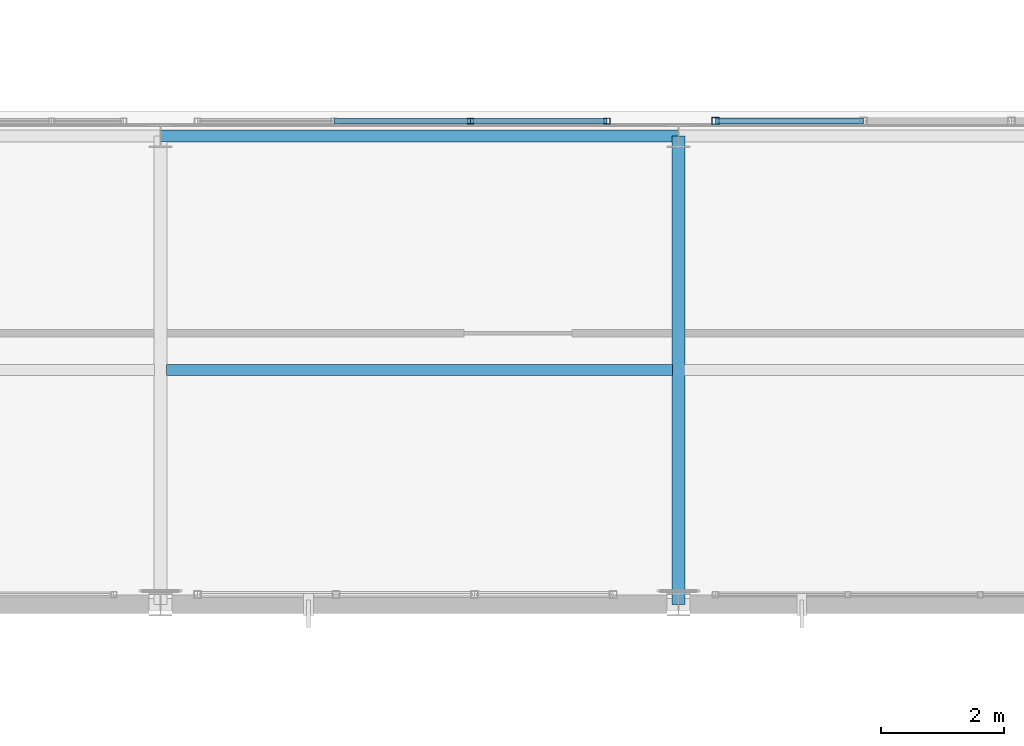
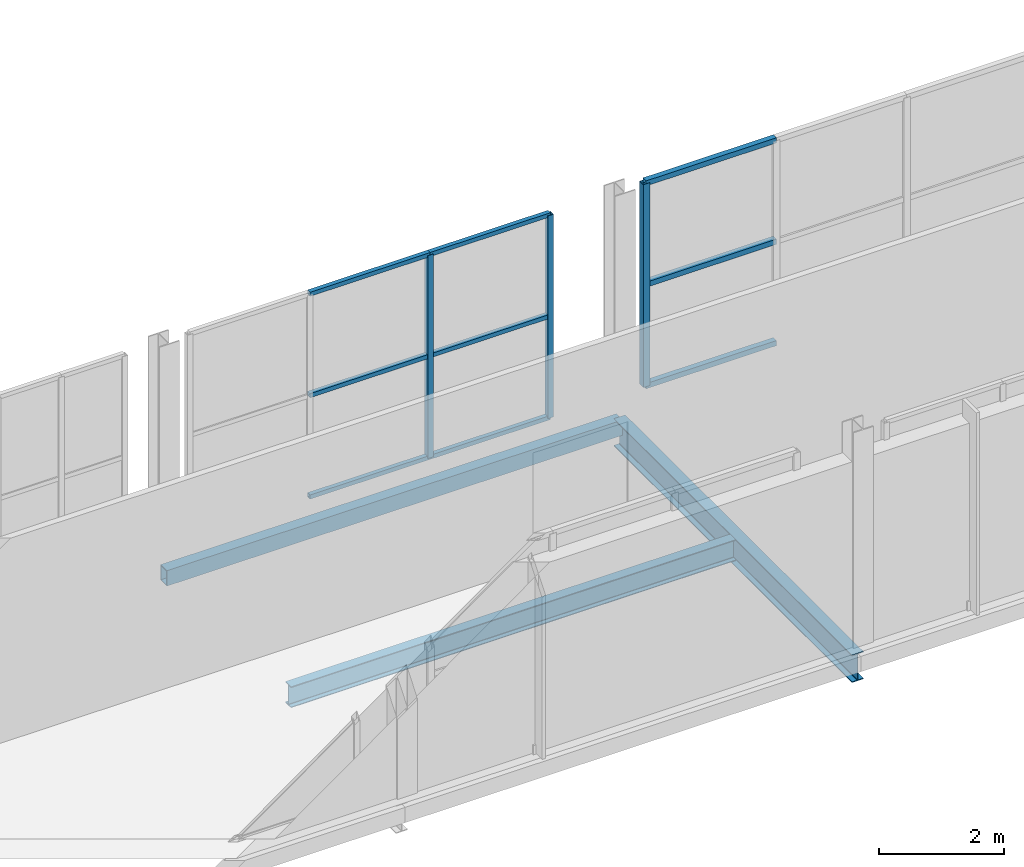
# One storey, part 48 of 217: 12 members, 3 beams, 2 elements without a shape of their own.
"""IFC4 building model written with IfcOpenShell, lengths in metres."""

from ifc_helpers import new_model, si_unit, direction, frame, origin, origin_2d, place, context, subcontext, project, spatial, hollow_rectangle, i_section, extrude, material, material_profile, profile_set, type_object, element, aggregate, save


model = new_model("IFC4")

# Units and contexts
model_context = context("Model", 3, precision=1e-05, world=origin(), true_north=direction((0.0, 1.0)))
body_context = subcontext(model_context, "Body", "Model", "MODEL_VIEW")
ifc_project = project(units=[si_unit("LENGTHUNIT", "METRE"), si_unit("AREAUNIT", "SQUARE_METRE"), si_unit("VOLUMEUNIT", "CUBIC_METRE"), si_unit("PLANEANGLEUNIT", "RADIAN"), si_unit("MASSUNIT", "GRAM", prefix="KILO")], contexts=[model_context])

# Site, building, storey
site_placement = place(None, origin())
site = spatial("IfcSite", under=ifc_project, at=site_placement, CompositionType="ELEMENT")
building_placement = place(site_placement, origin())
building = spatial("IfcBuilding", under=site, at=building_placement, Name="Zuvorla Pavilion Media Centre", CompositionType="ELEMENT")
storey_placement = place(building_placement, frame((0.0, 0.0, 9.60009765625)))
storey = spatial("IfcBuildingStorey", under=building, at=storey_placement, Name="L02", CompositionType="ELEMENT", Elevation=9.60009765625)

# Beams
ifc_material_1 = material(Name="Steel S355", Category="steel")
ifc_material_profile_1 = material_profile(ifc_material_1, hollow_rectangle(XDim=0.199951171875, YDim=0.300048828125, WallThickness=0.012451171875, at=origin_2d()), Name="RHS 300x200x12.5")
ifc_profile_set_1 = profile_set([ifc_material_profile_1], Name="Steel S355")
beam_type_1 = type_object("IfcBeamType", Name="BM-SP-RHS300", PredefinedType="SPANDREL", material=ifc_profile_set_1)
beam_1_placement = place(storey_placement, frame((125.60009765625, 51.60009765625, -0.418212890625), z_axis=(1.0, 0.0, 0.0), x_axis=(0.0, 1.0, 0.0)))
element("IfcBeam", 1, at=beam_1_placement, inside=storey, type_object=beam_type_1, Name="L02 spandrel SP01 848", PredefinedType="SPANDREL", context=body_context, shape_type="SweptSolid", body=[
    extrude(hollow_rectangle(XDim=0.199951171875, YDim=0.300048828125, WallThickness=0.012451171875, at=origin_2d()), origin(), (0.0, 0.0, 1.0), 8.39990234375),
])
ifc_material_profile_2 = material_profile(ifc_material_1, i_section(OverallWidth=0.1787109375, OverallDepth=0.409423828125, WebThickness=0.0087890625, FlangeThickness=0.014404296875, FilletRadius=0.01025390625, at=origin_2d()), Name="UB 406x178x67")
ifc_profile_set_2 = profile_set([ifc_material_profile_2], Name="Steel S355")
beam_type_2 = type_object("IfcBeamType", Name="BM-UB406", PredefinedType="JOIST", material=ifc_profile_set_2)
beam_2_placement = place(storey_placement, frame((125.699951171875, 47.800048828125, -0.472900390625), z_axis=(1.0, 0.0, 0.0), x_axis=(0.0, 1.0, 0.0)))
element("IfcBeam", 2, at=beam_2_placement, inside=storey, type_object=beam_type_2, Name="L02 joist J02 1034", PredefinedType="JOIST", context=body_context, shape_type="SweptSolid", body=[
    extrude(i_section(OverallWidth=0.1787109375, OverallDepth=0.409423828125, WebThickness=0.0087890625, FlangeThickness=0.014404296875, FilletRadius=0.01025390625, at=origin_2d()), origin(), (0.0, 0.0, 1.0), 8.199951171875),
])
ifc_material_profile_3 = material_profile(ifc_material_1, i_section(OverallWidth=0.2099609375, OverallDepth=0.53662109375, WebThickness=0.0107421875, FlangeThickness=0.017333984375, FilletRadius=0.0126953125, at=origin_2d()), Name="UB 533x210x101")
ifc_profile_set_3 = profile_set([ifc_material_profile_3], Name="Steel S355")
beam_type_3 = type_object("IfcBeamType", Name="BM-UB533", PredefinedType="BEAM", material=ifc_profile_set_3)
beam_3_placement = place(storey_placement, frame((134.0, 44.0, -0.536376953125), z_axis=(0.0, 1.0, 0.0), x_axis=(-1.0, 0.0, 0.0)))
element("IfcBeam", 3, at=beam_3_placement, inside=storey, type_object=beam_type_3, Name="L02 beam B08 965", PredefinedType="BEAM", context=body_context, shape_type="SweptSolid", body=[
    extrude(i_section(OverallWidth=0.2099609375, OverallDepth=0.53662109375, WebThickness=0.0107421875, FlangeThickness=0.017333984375, FilletRadius=0.0126953125, at=origin_2d()), origin(), (0.0, 0.0, 1.0), 7.60009765625),
])

# Curtain wall, members
ifc_material_2 = material(Name="Unitised anodised aluminium and solar glass curtain wall", Category="aluminium")
curtain_wall_type_1 = type_object("IfcCurtainWallType", Name="CW-SYS-54", PredefinedType="USERDEFINED", material=ifc_material_2)
curtain_wall_1_placement = place(storey_placement, origin())
curtain_wall_1 = element("IfcCurtainWall", 4, at=curtain_wall_1_placement, inside=storey, type_object=curtain_wall_type_1, Name="L02 curtain wall CW54 80", ObjectType="CURTAIN WALL", PredefinedType="USERDEFINED")
ifc_material_3 = material(Name="Anodised aluminium 6063-T6", Category="aluminium")
ifc_material_profile_4 = material_profile(ifc_material_3, hollow_rectangle(XDim=0.10009765625, YDim=0.10009765625, WallThickness=0.00439453125, at=origin_2d()), Name="ALU MULL 100x100")
ifc_profile_set_4 = profile_set([ifc_material_profile_4], Name="Anodised aluminium 6063-T6")
member_type_1 = type_object("IfcMemberType", Name="CW-MULL-100", PredefinedType="MULLION", material=ifc_profile_set_4)
member_1_placement = place(storey_placement, frame((130.626708984375, 51.840087890625, 0.0), z_axis=(0.0, 0.0, 1.0), x_axis=(1.0, 0.0, 0.0)))
member_1 = element("IfcMember", 5, at=member_1_placement, type_object=member_type_1, Name="CW54 mullion 3", PredefinedType="MULLION", context=body_context, shape_type="SweptSolid", body=[
    extrude(hollow_rectangle(XDim=0.10009765625, YDim=0.10009765625, WallThickness=0.00439453125, at=origin_2d()), origin(), (0.0, 0.0, 1.0), 3.949951171875),
])
member_2_placement = place(storey_placement, frame((132.840087890625, 51.840087890625, 0.0), z_axis=(0.0, 0.0, 1.0), x_axis=(1.0, 0.0, 0.0)))
member_2 = element("IfcMember", 6, at=member_2_placement, type_object=member_type_1, Name="CW54 mullion 4", PredefinedType="MULLION", context=body_context, shape_type="SweptSolid", body=[
    extrude(hollow_rectangle(XDim=0.10009765625, YDim=0.10009765625, WallThickness=0.00439453125, at=origin_2d()), origin(), (0.0, 0.0, 1.0), 3.949951171875),
])

curtain_wall_type_2 = type_object("IfcCurtainWallType", Name="CW-SYS-55", PredefinedType="USERDEFINED", material=ifc_material_2)
curtain_wall_2_placement = place(storey_placement, origin())
curtain_wall_2 = element("IfcCurtainWall", 7, at=curtain_wall_2_placement, inside=storey, type_object=curtain_wall_type_2, Name="L02 curtain wall CW55 82", ObjectType="CURTAIN WALL", PredefinedType="USERDEFINED")
ifc_material_profile_5 = material_profile(ifc_material_3, hollow_rectangle(XDim=0.1201171875, YDim=0.1201171875, WallThickness=0.0048828125, at=origin_2d()), Name="ALU MULL 120x120")
ifc_profile_set_5 = profile_set([ifc_material_profile_5], Name="Anodised aluminium 6063-T6")
member_type_2 = type_object("IfcMemberType", Name="CW-MULL-120", PredefinedType="MULLION", material=ifc_profile_set_5)
member_3_placement = place(storey_placement, frame((134.60009765625, 51.840087890625, 0.0), z_axis=(0.0, 0.0, 1.0), x_axis=(1.0, 0.0, 0.0)))
member_3 = element("IfcMember", 8, at=member_3_placement, type_object=member_type_2, Name="CW55 mullion 1", PredefinedType="MULLION", context=body_context, shape_type="SweptSolid", body=[
    extrude(hollow_rectangle(XDim=0.1201171875, YDim=0.1201171875, WallThickness=0.0048828125, at=origin_2d()), origin(), (0.0, 0.0, 1.0), 3.949951171875),
])
ifc_material_profile_6 = material_profile(ifc_material_3, hollow_rectangle(XDim=0.10009765625, YDim=0.10009765625, WallThickness=0.00439453125, at=origin_2d()), Name="ALU TRAN 100x100")
ifc_profile_set_6 = profile_set([ifc_material_profile_6], Name="Anodised aluminium 6063-T6")
member_type_3 = type_object("IfcMemberType", Name="CW-TRAN-100", PredefinedType="USERDEFINED", material=ifc_profile_set_6)
member_4_placement = place(storey_placement, frame((134.60009765625, 51.840087890625, 0.0), z_axis=(1.0, 0.0, 0.0), x_axis=(0.0, 1.0, 0.0)))
member_4 = element("IfcMember", 9, at=member_4_placement, type_object=member_type_3, Name="CW55 transom 1.1", ObjectType="TRANSOM", PredefinedType="USERDEFINED", context=body_context, shape_type="SweptSolid", body=[
    extrude(hollow_rectangle(XDim=0.10009765625, YDim=0.10009765625, WallThickness=0.00439453125, at=origin_2d()), origin(), (0.0, 0.0, 1.0), 2.39990234375),
])
member_5_placement = place(storey_placement, frame((134.60009765625, 51.840087890625, 1.974853515625), z_axis=(1.0, 0.0, 0.0), x_axis=(0.0, 1.0, 0.0)))
member_5 = element("IfcMember", 10, at=member_5_placement, type_object=member_type_3, Name="CW55 transom 1.2", ObjectType="TRANSOM", PredefinedType="USERDEFINED", context=body_context, shape_type="SweptSolid", body=[
    extrude(hollow_rectangle(XDim=0.10009765625, YDim=0.10009765625, WallThickness=0.00439453125, at=origin_2d()), origin(), (0.0, 0.0, 1.0), 2.39990234375),
])
member_6_placement = place(storey_placement, frame((134.60009765625, 51.840087890625, 3.949951171875), z_axis=(1.0, 0.0, 0.0), x_axis=(0.0, 1.0, 0.0)))
member_6 = element("IfcMember", 11, at=member_6_placement, type_object=member_type_3, Name="CW55 transom 1.3", ObjectType="TRANSOM", PredefinedType="USERDEFINED", context=body_context, shape_type="SweptSolid", body=[
    extrude(hollow_rectangle(XDim=0.10009765625, YDim=0.10009765625, WallThickness=0.00439453125, at=origin_2d()), origin(), (0.0, 0.0, 1.0), 2.39990234375),
])
aggregate(curtain_wall_2, [member_3, member_4, member_5, member_6])

# Member
ifc_material_profile_7 = material_profile(ifc_material_3, hollow_rectangle(XDim=0.080078125, YDim=0.080078125, WallThickness=0.00390625, at=origin_2d()), Name="ALU TRAN 80x80")
ifc_profile_set_7 = profile_set([ifc_material_profile_7], Name="Anodised aluminium 6063-T6")
member_type_4 = type_object("IfcMemberType", Name="CW-TRAN-80", PredefinedType="USERDEFINED", material=ifc_profile_set_7)
member_7_placement = place(storey_placement, frame((128.41357421875, 51.840087890625, 0.0), z_axis=(1.0, 0.0, 0.0), x_axis=(0.0, 1.0, 0.0)))
member_7 = element("IfcMember", 12, at=member_7_placement, type_object=member_type_4, Name="CW54 transom 2.1", ObjectType="TRANSOM", PredefinedType="USERDEFINED", context=body_context, shape_type="SweptSolid", body=[
    extrude(hollow_rectangle(XDim=0.080078125, YDim=0.080078125, WallThickness=0.00390625, at=origin_2d()), origin(), (0.0, 0.0, 1.0), 2.213134765625),
])

member_8_placement = place(storey_placement, frame((128.41357421875, 51.840087890625, 1.974853515625), z_axis=(1.0, 0.0, 0.0), x_axis=(0.0, 1.0, 0.0)))
member_8 = element("IfcMember", 13, at=member_8_placement, type_object=member_type_4, Name="CW54 transom 2.2", ObjectType="TRANSOM", PredefinedType="USERDEFINED", context=body_context, shape_type="SweptSolid", body=[
    extrude(hollow_rectangle(XDim=0.080078125, YDim=0.080078125, WallThickness=0.00390625, at=origin_2d()), origin(), (0.0, 0.0, 1.0), 2.213134765625),
])

member_9_placement = place(storey_placement, frame((128.41357421875, 51.840087890625, 3.949951171875), z_axis=(1.0, 0.0, 0.0), x_axis=(0.0, 1.0, 0.0)))
member_9 = element("IfcMember", 14, at=member_9_placement, type_object=member_type_4, Name="CW54 transom 2.3", ObjectType="TRANSOM", PredefinedType="USERDEFINED", context=body_context, shape_type="SweptSolid", body=[
    extrude(hollow_rectangle(XDim=0.080078125, YDim=0.080078125, WallThickness=0.00390625, at=origin_2d()), origin(), (0.0, 0.0, 1.0), 2.213134765625),
])

member_10_placement = place(storey_placement, frame((130.626708984375, 51.840087890625, 0.0), z_axis=(1.0, 0.0, 0.0), x_axis=(0.0, 1.0, 0.0)))
member_10 = element("IfcMember", 15, at=member_10_placement, type_object=member_type_4, Name="CW54 transom 3.1", ObjectType="TRANSOM", PredefinedType="USERDEFINED", context=body_context, shape_type="SweptSolid", body=[
    extrude(hollow_rectangle(XDim=0.080078125, YDim=0.080078125, WallThickness=0.00390625, at=origin_2d()), origin(), (0.0, 0.0, 1.0), 2.21337890625),
])

member_11_placement = place(storey_placement, frame((130.626708984375, 51.840087890625, 1.974853515625), z_axis=(1.0, 0.0, 0.0), x_axis=(0.0, 1.0, 0.0)))
member_11 = element("IfcMember", 16, at=member_11_placement, type_object=member_type_4, Name="CW54 transom 3.2", ObjectType="TRANSOM", PredefinedType="USERDEFINED", context=body_context, shape_type="SweptSolid", body=[
    extrude(hollow_rectangle(XDim=0.080078125, YDim=0.080078125, WallThickness=0.00390625, at=origin_2d()), origin(), (0.0, 0.0, 1.0), 2.21337890625),
])

member_12_placement = place(storey_placement, frame((130.626708984375, 51.840087890625, 3.949951171875), z_axis=(1.0, 0.0, 0.0), x_axis=(0.0, 1.0, 0.0)))
member_12 = element("IfcMember", 17, at=member_12_placement, type_object=member_type_4, Name="CW54 transom 3.3", ObjectType="TRANSOM", PredefinedType="USERDEFINED", context=body_context, shape_type="SweptSolid", body=[
    extrude(hollow_rectangle(XDim=0.080078125, YDim=0.080078125, WallThickness=0.00390625, at=origin_2d()), origin(), (0.0, 0.0, 1.0), 2.21337890625),
])

aggregate(curtain_wall_1, [member_1, member_2, member_7, member_8, member_9, member_10, member_11, member_12])

save(model, "model.ifc")
